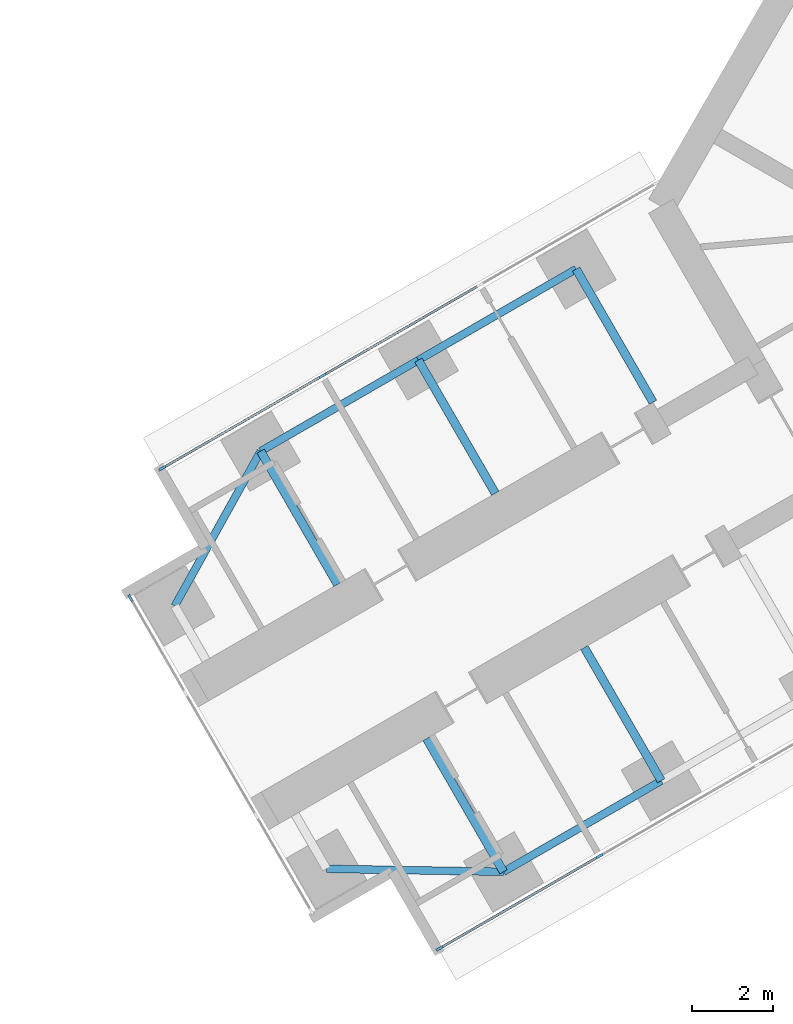
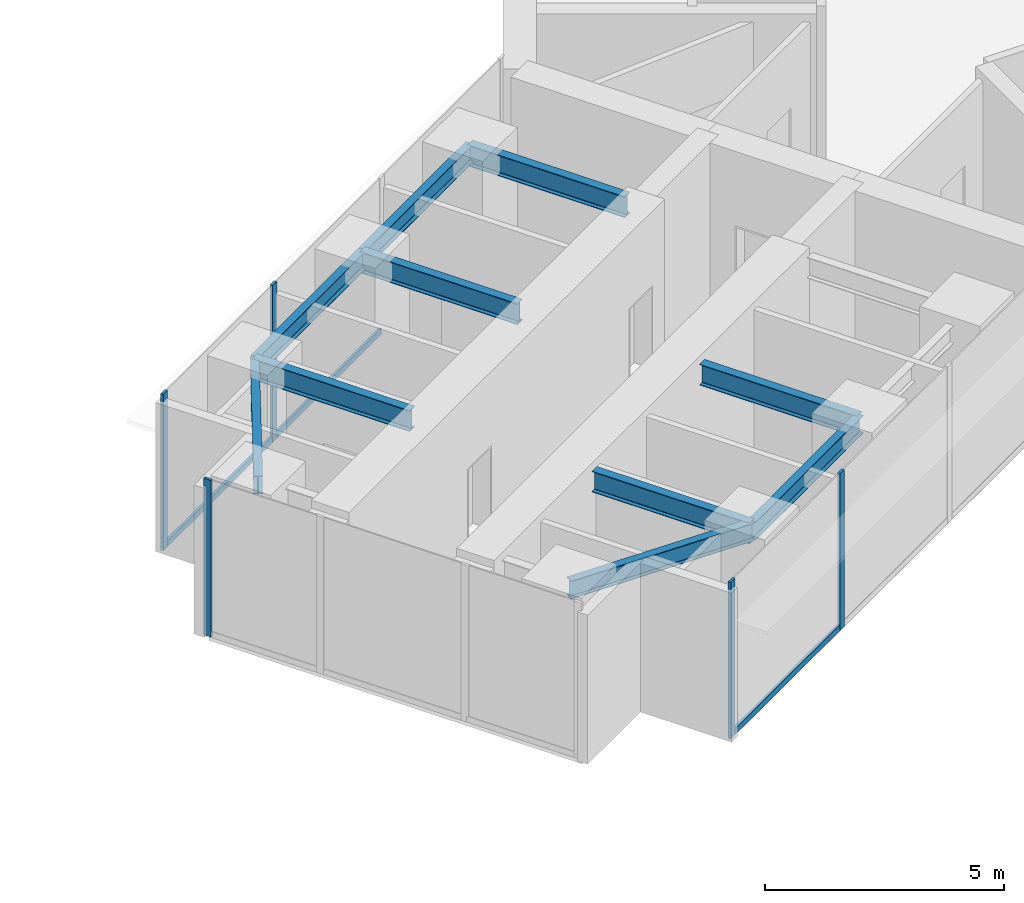
# One storey, part 4 of 24: 10 beams, 8 members, 3 elements without a shape of their own.
"""IFC4 building model written with IfcOpenShell, lengths in metres."""

import ifcopenshell
import ifcopenshell.guid

model = None  # the IFC model being written
_history = None  # IfcOwnerHistory: only IFC2X3 demands one
_inside = {}  # id of a spatial element -> (the spatial element, [elements in it])
_under = {}  # id of a project, library or spatial element -> (it, [spatial elements below it])
_declared = {}  # id of a project -> (the project, [libraries it declares])
_typed = {}  # id of a type object -> (the type object, [elements of that type])
_made_of = {}  # id of a material, layer set ... -> (it, [elements and type objects made of it])


def new_model(schema):
    """Start an empty IFC model of exactly this schema.

    Asked for "IFC4X3", IfcOpenShell would pick the latest addendum, in which some entities
    have other attributes; the version numbers below select the first issue.
    IFC2X3 requires an IfcOwnerHistory on every rooted entity: one is made here for all.
    """
    global model, _history
    if schema == "IFC4X3":
        model = ifcopenshell.file(schema_version=(4, 3, 0, 0))
    else:
        model = ifcopenshell.file(schema=schema)
    _inside.clear()
    _under.clear()
    _declared.clear()
    _typed.clear()
    _made_of.clear()
    _history = None
    if model.schema == "IFC2X3":
        org = make("IfcOrganization", Name="unknown")
        user = make(
            "IfcPersonAndOrganization",
            ThePerson=make("IfcPerson", FamilyName="unknown"),
            TheOrganization=org,
        )
        app = make(
            "IfcApplication",
            ApplicationDeveloper=org,
            Version="unknown",
            ApplicationFullName="unknown",
            ApplicationIdentifier="unknown",
        )
        _history = make(
            "IfcOwnerHistory",
            OwningUser=user,
            OwningApplication=app,
            ChangeAction="ADDED",
            CreationDate=0,
        )
    return model


def make(cls, **values):
    """One entity of the class cls with the attributes given. An attribute that is None is left unset."""
    return model.create_entity(
        cls, **{name: value for name, value in values.items() if value is not None}
    )


def rooted(cls, **values):
    """An entity with a GlobalId (a new one), such as an element, a storey or a relation."""
    return make(cls, GlobalId=ifcopenshell.guid.new(), OwnerHistory=_history, **values)


def si_unit(unit_type, name, prefix=None):
    """IfcSIUnit, for example si_unit("LENGTHUNIT", "METRE", prefix="MILLI")."""
    return make("IfcSIUnit", UnitType=unit_type, Prefix=prefix, Name=name)


def assignment(units):
    """IfcUnitAssignment: the units of a project."""
    return None if units is None else make("IfcUnitAssignment", Units=units)


def point(xyz):
    """IfcCartesianPoint."""
    return None if xyz is None else make("IfcCartesianPoint", Coordinates=xyz)


def direction(xyz):
    """IfcDirection."""
    return None if xyz is None else make("IfcDirection", DirectionRatios=xyz)


def frame(location, z_axis=None, x_axis=None):
    """IfcAxis2Placement3D, a coordinate frame: its origin and axes. An axis left out is left unset."""
    return make(
        "IfcAxis2Placement3D",
        Location=point(location),
        Axis=direction(z_axis),
        RefDirection=direction(x_axis),
    )


def frame_2d(location, x_axis=None):
    """IfcAxis2Placement2D, a coordinate frame in the plane: its origin and x axis."""
    return make(
        "IfcAxis2Placement2D", Location=point(location), RefDirection=direction(x_axis)
    )


def origin():
    """The frame at (0, 0, 0) with its axes left unset."""
    return frame((0.0, 0.0, 0.0))


def origin_2d():
    """The frame at (0, 0) in the plane with its x axis left unset."""
    return frame_2d((0.0, 0.0))


def place(relative_to, where):
    """IfcLocalPlacement: puts the frame where relative to a parent placement (None: the world)."""
    return make(
        "IfcLocalPlacement", PlacementRelTo=relative_to, RelativePlacement=where
    )


def context(
    kind, dimensions, precision=None, world=None, true_north=None, identifier=None
):
    """IfcGeometricRepresentationContext, for example the 3D "Model" context."""
    return make(
        "IfcGeometricRepresentationContext",
        ContextIdentifier=identifier,
        ContextType=kind,
        CoordinateSpaceDimension=dimensions,
        Precision=precision,
        WorldCoordinateSystem=world,
        TrueNorth=true_north,
    )


def subcontext(parent, identifier, kind, view, scale=None):
    """IfcGeometricRepresentationSubContext, for example "Body" below "Model"."""
    return make(
        "IfcGeometricRepresentationSubContext",
        ContextIdentifier=identifier,
        ContextType=kind,
        ParentContext=parent,
        TargetScale=scale,
        TargetView=view,
    )


def project(units=None, contexts=None):
    """IfcProject with its units and contexts."""
    return rooted(
        "IfcProject",
        Name="project",
        RepresentationContexts=contexts,
        UnitsInContext=assignment(units),
    )


def spatial(cls, under=None, at=None, **own):
    """A site, building, storey or space (cls), placed at a placement, below another one or the project."""
    s = rooted(cls, ObjectPlacement=at, **own)
    if under is not None:
        _under.setdefault(under.id(), (under, []))[1].append(s)
    return s


def profile(cls, at=None, kind="AREA", **sizes):
    """A parametric profile (cls). Its sizes go by their IFC names, for example OverallWidth=200.0."""
    return make(cls, ProfileType=kind, Position=at, **sizes)


def rectangle(**sizes):
    """IfcRectangleProfileDef."""
    return profile("IfcRectangleProfileDef", **sizes)


def i_section(**sizes):
    """IfcIShapeProfileDef."""
    return profile("IfcIShapeProfileDef", **sizes)


def extrude(swept, where, along, depth):
    """IfcExtrudedAreaSolid: the profile swept, set in the frame where, extruded along a direction by depth."""
    return make(
        "IfcExtrudedAreaSolid",
        SweptArea=swept,
        Position=where,
        ExtrudedDirection=direction(along),
        Depth=depth,
    )


def shape(context_of_items, identifier, shape_type, items):
    """IfcShapeRepresentation: the items that make up one representation, for example the "Body"."""
    return make(
        "IfcShapeRepresentation",
        ContextOfItems=context_of_items,
        RepresentationIdentifier=identifier,
        RepresentationType=shape_type,
        Items=items,
    )


def material(Name=None, Category=None):
    """IfcMaterial."""
    return make("IfcMaterial", Name=Name, Category=Category)


def material_profile(
    of_material, cross_section, Name=None, Category=None, Priority=None
):
    """IfcMaterialProfile: a cross section and its material."""
    return make(
        "IfcMaterialProfile",
        Name=Name,
        Material=of_material,
        Profile=cross_section,
        Priority=Priority,
        Category=Category,
    )


def profile_set(profiles, Name=None, composite=None):
    """IfcMaterialProfileSet."""
    return make(
        "IfcMaterialProfileSet",
        Name=Name,
        MaterialProfiles=profiles,
        CompositeProfile=composite,
    )


def made_of(thing, what):
    """Note that an element or type object is made of a material, layer set ...; save() writes the relation."""
    if what is not None:
        _made_of.setdefault(what.id(), (what, []))[1].append(thing)
    return thing


def type_object(cls, material=None, **own):
    """A type object (cls), such as IfcWallType, which elements share."""
    return made_of(rooted(cls, **own), material)


def element(
    cls,
    number,
    at=None,
    inside=None,
    cuts=None,
    type_object=None,
    material=None,
    context=None,
    identifier="Body",
    shape_type=None,
    held_by="IfcProductDefinitionShape",
    body=None,
    shapes=None,
    **own,
):
    """One element of the class cls, such as IfcWall. Its Tag is "e" and its number.

    at: its placement. inside: the storey or other place that contains it. cuts: it is an
    opening in that element (IfcRelVoidsElement). A single representation is given by context,
    identifier, shape_type and body (its items); several are given by shapes. held_by: the class
    of the entity that holds the representations. save() writes the other relations.
    """
    e = rooted(cls, Tag="e%d" % number, ObjectPlacement=at, **own)
    if body is not None:
        shapes = [shape(context, identifier, shape_type, body)]
    if shapes is not None:
        e.Representation = make(held_by, Representations=shapes)
    if inside is not None:
        _inside.setdefault(inside.id(), (inside, []))[1].append(e)
    if cuts is not None:
        rooted(
            "IfcRelVoidsElement", RelatingBuildingElement=cuts, RelatedOpeningElement=e
        )
    if type_object is not None:
        _typed.setdefault(type_object.id(), (type_object, []))[1].append(e)
    return made_of(e, material)


def aggregate(whole, parts):
    """IfcRelAggregates: a whole, such as a stair, and the parts it consists of."""
    return rooted("IfcRelAggregates", RelatingObject=whole, RelatedObjects=parts)


def save(model, path):
    """Write the relations noted so far, then the file.

    IfcRelAggregates (storeys below a building ...), IfcRelContainedInSpatialStructure (elements
    in a storey), IfcRelDefinesByType, IfcRelAssociatesMaterial and IfcRelDeclares: one each for
    every whole, place, type object, material and project.
    """
    for whole, parts in _under.values():
        aggregate(whole, parts)
    for where, things in _inside.values():
        rooted(
            "IfcRelContainedInSpatialStructure",
            RelatedElements=things,
            RelatingStructure=where,
        )
    for kind, things in _typed.values():
        rooted("IfcRelDefinesByType", RelatedObjects=things, RelatingType=kind)
    for what, things in _made_of.values():
        rooted("IfcRelAssociatesMaterial", RelatedObjects=things, RelatingMaterial=what)
    for by, libraries in _declared.values():
        rooted("IfcRelDeclares", RelatingContext=by, RelatedDefinitions=libraries)
    model.write(path)


model = new_model("IFC4")

# Units and contexts
model_context = context("Model", 3, precision=1e-05, world=origin(), true_north=direction((0.0, 1.0)))
body_context = subcontext(model_context, "Body", "Model", "MODEL_VIEW")
ifc_project = project(units=[si_unit("LENGTHUNIT", "METRE"), si_unit("AREAUNIT", "SQUARE_METRE"), si_unit("VOLUMEUNIT", "CUBIC_METRE"), si_unit("PLANEANGLEUNIT", "RADIAN"), si_unit("MASSUNIT", "GRAM", prefix="KILO")], contexts=[model_context])

# Site, building, storey
site_placement = place(None, origin())
site = spatial("IfcSite", under=ifc_project, at=site_placement, CompositionType="ELEMENT")
building_placement = place(site_placement, origin())
building = spatial("IfcBuilding", under=site, at=building_placement, Name="Upepo Twin Towers", CompositionType="ELEMENT")
storey_placement = place(building_placement, frame((0.0, 0.0, 64.5)))
storey = spatial("IfcBuildingStorey", under=building, at=storey_placement, Name="L15", CompositionType="ELEMENT", Elevation=64.5)

# Beams
ifc_material_1 = material(Name="Steel S355", Category="steel")
ifc_material_profile_1 = material_profile(ifc_material_1, i_section(OverallWidth=0.1904296875, OverallDepth=0.45703125, WebThickness=0.009033203125, FlangeThickness=0.014404296875, FilletRadius=0.01025390625, at=origin_2d()), Name="UB 457x191x74")
ifc_profile_set_1 = profile_set([ifc_material_profile_1], Name="Steel S355")
beam_type_1 = type_object("IfcBeamType", Name="Beam UB 457x191x74", PredefinedType="BEAM", material=ifc_profile_set_1)
beam_1_placement = place(storey_placement, frame((45.91162109375, -32.196044921875, 3.571533203125), z_axis=(-0.866031096941, -0.499990139034, 0.0), x_axis=(0.499990139034, -0.866031096941, 0.0)))
element("IfcBeam", 1, at=beam_1_placement, inside=storey, type_object=beam_type_1, Name="T2 edge beam BL 18.0-22.5", PredefinedType="BEAM", context=body_context, shape_type="SweptSolid", body=[
    extrude(i_section(OverallWidth=0.1904296875, OverallDepth=0.45703125, WebThickness=0.009033203125, FlangeThickness=0.014404296875, FilletRadius=0.01025390625, at=origin_2d()), origin(), (0.0, 0.0, 1.0), 4.5),
])
beam_2_placement = place(storey_placement, frame((42.014404296875, -34.446044921875, 3.571533203125), z_axis=(-0.999858804832, 0.016803880528, 0.0), x_axis=(-0.016803880528, -0.999858804832, 0.0)))
element("IfcBeam", 2, at=beam_2_placement, inside=storey, type_object=beam_type_1, Name="T2 nose edge beam BL", PredefinedType="BEAM", context=body_context, shape_type="SweptSolid", body=[
    extrude(i_section(OverallWidth=0.1904296875, OverallDepth=0.45703125, WebThickness=0.009033203125, FlangeThickness=0.014404296875, FilletRadius=0.01025390625, at=origin_2d()), origin(), (0.0, 0.0, 1.0), 4.373291015625),
])
beam_3_placement = place(storey_placement, frame((43.80859375, -19.553955078125, 3.571533203125), z_axis=(-0.866017533419, -0.500013631625, 0.0), x_axis=(0.500013631625, -0.866017533419, 0.0)))
element("IfcBeam", 3, at=beam_3_placement, inside=storey, type_object=beam_type_1, Name="T2 edge beam BR 13.5-18.0", PredefinedType="BEAM", context=body_context, shape_type="SweptSolid", body=[
    extrude(i_section(OverallWidth=0.1904296875, OverallDepth=0.45703125, WebThickness=0.009033203125, FlangeThickness=0.014404296875, FilletRadius=0.01025390625, at=origin_2d()), origin(), (0.0, 0.0, 1.0), 4.499755859375),
])
beam_4_placement = place(storey_placement, frame((39.91162109375, -21.803955078125, 3.571533203125), z_axis=(-0.866031096941, -0.499990139034, 0.0), x_axis=(0.499990139034, -0.866031096941, 0.0)))
element("IfcBeam", 4, at=beam_4_placement, inside=storey, type_object=beam_type_1, Name="T2 edge beam BR 18.0-22.5", PredefinedType="BEAM", context=body_context, shape_type="SweptSolid", body=[
    extrude(i_section(OverallWidth=0.1904296875, OverallDepth=0.45703125, WebThickness=0.009033203125, FlangeThickness=0.014404296875, FilletRadius=0.01025390625, at=origin_2d()), origin(), (0.0, 0.0, 1.0), 4.5),
])
beam_5_placement = place(storey_placement, frame((36.014404296875, -24.053955078125, 3.571533203125), z_axis=(-0.485363242752, -0.874312600038, 0.0), x_axis=(0.874312600038, -0.485363242752, 0.0)))
element("IfcBeam", 5, at=beam_5_placement, inside=storey, type_object=beam_type_1, Name="T2 nose edge beam BR", PredefinedType="BEAM", context=body_context, shape_type="SweptSolid", body=[
    extrude(i_section(OverallWidth=0.1904296875, OverallDepth=0.45703125, WebThickness=0.009033203125, FlangeThickness=0.014404296875, FilletRadius=0.01025390625, at=origin_2d()), origin(), (0.0, 0.0, 1.0), 4.373046875),
])
ifc_material_2 = material(Name="Steel S355", Category="steel")
ifc_material_profile_2 = material_profile(ifc_material_2, i_section(OverallWidth=0.209228515625, OverallDepth=0.533203125, WebThickness=0.010009765625, FlangeThickness=0.015625, FilletRadius=0.0126953125, at=origin_2d()), Name="UB 533x210x92")
ifc_profile_set_2 = profile_set([ifc_material_profile_2], Name="Steel S355")
beam_type_2 = type_object("IfcBeamType", Name="Beam UB 533x210x92", PredefinedType="BEAM", material=ifc_profile_set_2)
beam_6_placement = place(storey_placement, frame((45.91162109375, -32.196044921875, 3.533447265625), z_axis=(-0.500043160704, 0.866000483506, 0.0), x_axis=(-0.866000483506, -0.500043160704, 0.0)))
element("IfcBeam", 6, at=beam_6_placement, inside=storey, type_object=beam_type_2, Name="T2 girder BL at 18.0", PredefinedType="BEAM", context=body_context, shape_type="SweptSolid", body=[
    extrude(i_section(OverallWidth=0.209228515625, OverallDepth=0.533203125, WebThickness=0.010009765625, FlangeThickness=0.015625, FilletRadius=0.0126953125, at=origin_2d()), origin(), (0.0, 0.0, 1.0), 3.800048828125),
])
beam_7_placement = place(storey_placement, frame((42.014404296875, -34.446044921875, 3.533447265625), z_axis=(-0.499994975061, 0.866028304915, 0.0), x_axis=(-0.866028304915, -0.499994975061, 0.0)))
element("IfcBeam", 7, at=beam_7_placement, inside=storey, type_object=beam_type_2, Name="T2 girder BL at 22.5", PredefinedType="BEAM", context=body_context, shape_type="SweptSolid", body=[
    extrude(i_section(OverallWidth=0.209228515625, OverallDepth=0.533203125, WebThickness=0.010009765625, FlangeThickness=0.015625, FilletRadius=0.0126953125, at=origin_2d()), origin(), (0.0, 0.0, 1.0), 3.7998046875),
])
beam_8_placement = place(storey_placement, frame((43.80859375, -19.553955078125, 3.533447265625), z_axis=(0.500043160704, -0.866000483506, 0.0), x_axis=(0.866000483506, 0.500043160704, 0.0)))
element("IfcBeam", 8, at=beam_8_placement, inside=storey, type_object=beam_type_2, Name="T2 girder BR at 13.5", PredefinedType="BEAM", context=body_context, shape_type="SweptSolid", body=[
    extrude(i_section(OverallWidth=0.209228515625, OverallDepth=0.533203125, WebThickness=0.010009765625, FlangeThickness=0.015625, FilletRadius=0.0126953125, at=origin_2d()), origin(), (0.0, 0.0, 1.0), 3.800048828125),
])
for number, where, z_axis, x_axis, name in (
    (9, (39.91162109375, -21.803955078125, 3.533447265625), (0.499994975061, -0.866028304915, 0.0), (0.866028304915, 0.499994975061, 0.0), "T2 girder BR at 18.0"),
    (10, (36.014404296875, -24.053955078125, 3.533447265625), (0.499994975061, -0.866028304915, 0.0), (0.866028304915, 0.499994975061, 0.0), "T2 girder BR at 22.5"),
):
    element("IfcBeam", number, at=place(storey_placement, frame(where, z_axis=z_axis, x_axis=x_axis)), inside=storey, type_object=beam_type_2, Name=name, PredefinedType="BEAM", context=body_context, shape_type="SweptSolid", body=[
        extrude(i_section(OverallWidth=0.209228515625, OverallDepth=0.533203125, WebThickness=0.010009765625, FlangeThickness=0.015625, FilletRadius=0.0126953125, at=origin_2d()), origin(), (0.0, 0.0, 1.0), 3.7998046875),
    ])

# Curtain wall, members
ifc_material_3 = material(Name="Aluminium and fritted glass", Category="aluminium")
curtain_wall_type = type_object("IfcCurtainWallType", Name="Tower curtain wall TW1, fritted glass", PredefinedType="NOTDEFINED", material=ifc_material_3)
curtain_wall_1_placement = place(storey_placement, origin())
curtain_wall_1 = element("IfcCurtainWall", 11, at=curtain_wall_1_placement, inside=storey, type_object=curtain_wall_type, Name="T2 L15 wing B flank L curtain wall", PredefinedType="NOTDEFINED")
ifc_material_4 = material(Name="Aluminium mullion", Category="aluminium")
ifc_material_profile_3 = material_profile(ifc_material_4, rectangle(XDim=0.06494140625, YDim=0.179931640625, at=origin_2d()), Name="MULLION 65x180")
ifc_profile_set_3 = profile_set([ifc_material_profile_3], Name="Aluminium mullion")
member_type_1 = type_object("IfcMemberType", Name="Mullion 65x180 TW1", PredefinedType="MULLION", material=ifc_profile_set_3)
member_1_placement = place(storey_placement, frame((44.387939453125, -34.057373046875, 0.0), z_axis=(0.0, 0.0, 1.0), x_axis=(0.500000024426, -0.866025389682, 0.0)))
member_1 = element("IfcMember", 12, at=member_1_placement, type_object=member_type_1, Name="T2 L15 wing B flank L curtain wall mullion 3", PredefinedType="MULLION", context=body_context, shape_type="SweptSolid", body=[
    extrude(rectangle(XDim=0.06494140625, YDim=0.179931640625, at=origin_2d()), origin(), (0.0, 0.0, 1.0), 4.0),
])
member_2_placement = place(storey_placement, frame((40.432373046875, -36.341064453125, 0.0), z_axis=(0.0, 0.0, 1.0), x_axis=(0.500000024426, -0.866025389682, 0.0)))
member_2 = element("IfcMember", 13, at=member_2_placement, type_object=member_type_1, Name="T2 L15 wing B flank L curtain wall mullion 4", PredefinedType="MULLION", context=body_context, shape_type="SweptSolid", body=[
    extrude(rectangle(XDim=0.06494140625, YDim=0.179931640625, at=origin_2d()), origin(), (0.0, 0.0, 1.0), 4.0),
])

curtain_wall_2_placement = place(storey_placement, origin())
curtain_wall_2 = element("IfcCurtainWall", 14, at=curtain_wall_2_placement, inside=storey, type_object=curtain_wall_type, Name="T2 L15 wing B flank R curtain wall", PredefinedType="NOTDEFINED")
member_3_placement = place(storey_placement, frame((33.58251953125, -24.4765625, 0.0), z_axis=(0.0, 0.0, 1.0), x_axis=(-0.500000024426, 0.866025389682, 0.0)))
member_3 = element("IfcMember", 15, at=member_3_placement, type_object=member_type_1, Name="T2 L15 wing B flank R curtain wall mullion 1", PredefinedType="MULLION", context=body_context, shape_type="SweptSolid", body=[
    extrude(rectangle(XDim=0.06494140625, YDim=0.179931640625, at=origin_2d()), origin(), (0.0, 0.0, 1.0), 4.0),
])
member_4_placement = place(storey_placement, frame((37.5380859375, -22.192626953125, 0.0), z_axis=(0.0, 0.0, 1.0), x_axis=(-0.500000024426, 0.866025389682, 0.0)))
member_4 = element("IfcMember", 16, at=member_4_placement, type_object=member_type_1, Name="T2 L15 wing B flank R curtain wall mullion 2", PredefinedType="MULLION", context=body_context, shape_type="SweptSolid", body=[
    extrude(rectangle(XDim=0.06494140625, YDim=0.179931640625, at=origin_2d()), origin(), (0.0, 0.0, 1.0), 4.0),
])

# Curtain wall, member
curtain_wall_3_placement = place(storey_placement, origin())
curtain_wall_3 = element("IfcCurtainWall", 17, at=curtain_wall_3_placement, inside=storey, type_object=curtain_wall_type, Name="T2 L15 wing B nose curtain wall", PredefinedType="NOTDEFINED")
member_5_placement = place(storey_placement, frame((32.796875, -27.68115234375, 0.0), z_axis=(0.0, 0.0, 1.0), x_axis=(0.866025386174, 0.500000030502, 0.0)))
member_5 = element("IfcMember", 18, at=member_5_placement, type_object=member_type_1, Name="T2 L15 wing B nose curtain wall mullion 1", PredefinedType="MULLION", context=body_context, shape_type="SweptSolid", body=[
    extrude(rectangle(XDim=0.06494140625, YDim=0.179931640625, at=origin_2d()), origin(), (0.0, 0.0, 1.0), 4.0),
])
aggregate(curtain_wall_3, [member_5])

# Member
ifc_material_5 = material(Name="Aluminium transom", Category="aluminium")
ifc_material_profile_4 = material_profile(ifc_material_5, rectangle(XDim=0.06494140625, YDim=0.14990234375, at=origin_2d()), Name="TRANSOM 65x150")
ifc_profile_set_4 = profile_set([ifc_material_profile_4], Name="Aluminium transom")
member_type_2 = type_object("IfcMemberType", Name="Transom 65x150 TW1", PredefinedType="USERDEFINED", material=ifc_profile_set_4)
member_6_placement = place(storey_placement, frame((44.35986328125, -34.073486328125, 0.074951171875), z_axis=(-0.866035699072, -0.499982167615, 0.0), x_axis=(0.499982167615, -0.866035699072, 0.0)))
member_6 = element("IfcMember", 19, at=member_6_placement, type_object=member_type_2, Name="T2 L15 wing B flank L curtain wall transom 3", ObjectType="TRANSOM", PredefinedType="USERDEFINED", context=body_context, shape_type="SweptSolid", body=[
    extrude(rectangle(XDim=0.06494140625, YDim=0.14990234375, at=origin_2d()), origin(), (0.0, 0.0, 1.0), 4.502685546875),
])

aggregate(curtain_wall_1, [member_1, member_2, member_6])

member_7_placement = place(storey_placement, frame((33.610595703125, -24.460205078125, 0.074951171875), z_axis=(0.866022143554, 0.500005646842, 0.0), x_axis=(-0.500005646842, 0.866022143554, 0.0)))
member_7 = element("IfcMember", 20, at=member_7_placement, type_object=member_type_2, Name="T2 L15 wing B flank R curtain wall transom 1", ObjectType="TRANSOM", PredefinedType="USERDEFINED", context=body_context, shape_type="SweptSolid", body=[
    extrude(rectangle(XDim=0.06494140625, YDim=0.14990234375, at=origin_2d()), origin(), (0.0, 0.0, 1.0), 4.50244140625),
])

member_8_placement = place(storey_placement, frame((37.566162109375, -22.176513671875, 0.074951171875), z_axis=(0.866022410713, 0.500005184116, 0.0), x_axis=(-0.500005184116, 0.866022410713, 0.0)))
member_8 = element("IfcMember", 21, at=member_8_placement, type_object=member_type_2, Name="T2 L15 wing B flank R curtain wall transom 2", ObjectType="TRANSOM", PredefinedType="USERDEFINED", context=body_context, shape_type="SweptSolid", body=[
    extrude(rectangle(XDim=0.06494140625, YDim=0.14990234375, at=origin_2d()), origin(), (0.0, 0.0, 1.0), 4.43505859375),
])

aggregate(curtain_wall_2, [member_3, member_4, member_7, member_8])

save(model, "model.ifc")
